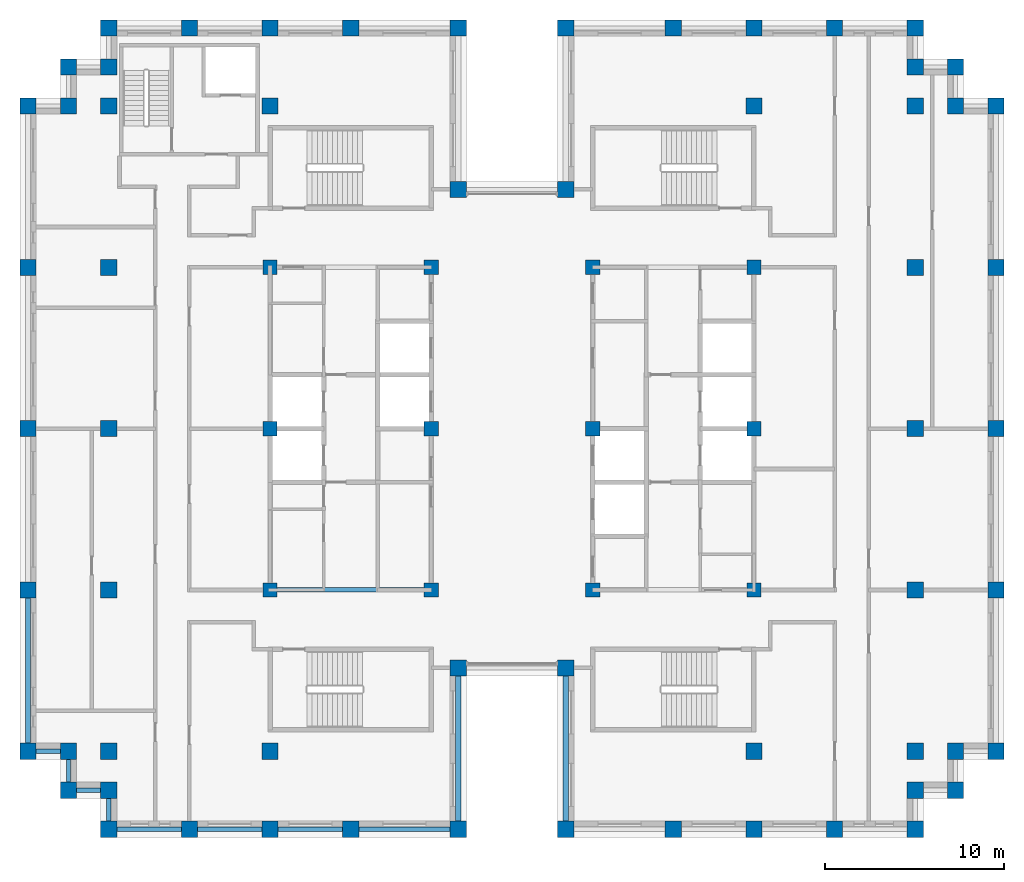
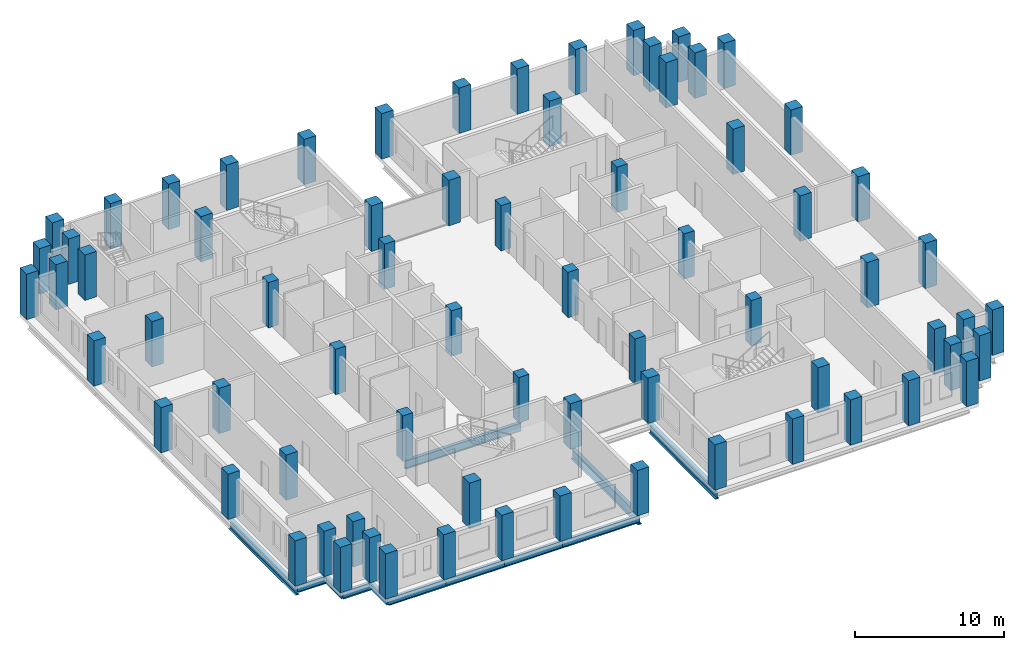
# One storey, part 1 of 13: 72 columns, 12 beams.
"""IFC4 building model written with IfcOpenShell, lengths in metres."""

from ifc_helpers import new_model, si_unit, direction, frame, origin, origin_2d, place, context, subcontext, project, spatial, rectangle, i_section, extrude, material, material_profile, profile_set, type_object, element, save


model = new_model("IFC4")

# Units and contexts
model_context = context("Model", 3, precision=1e-05, world=origin(), true_north=direction((0.0, 1.0)))
body_context = subcontext(model_context, "Body", "Model", "MODEL_VIEW")
ifc_project = project(units=[si_unit("LENGTHUNIT", "METRE"), si_unit("AREAUNIT", "SQUARE_METRE"), si_unit("VOLUMEUNIT", "CUBIC_METRE"), si_unit("PLANEANGLEUNIT", "RADIAN"), si_unit("MASSUNIT", "GRAM", prefix="KILO")], contexts=[model_context])

# Site, building, storey
site_placement = place(None, origin())
site = spatial("IfcSite", under=ifc_project, at=site_placement, CompositionType="ELEMENT")
building_placement = place(site_placement, origin())
building = spatial("IfcBuilding", under=site, at=building_placement, Name="Corbelhall Arena Tower", CompositionType="ELEMENT")
storey_placement = place(building_placement, frame((0.0, 0.0, 266.0)))
storey = spatial("IfcBuildingStorey", under=building, at=storey_placement, Name="L57", CompositionType="ELEMENT", Elevation=266.0)

# Columns
ifc_material_1 = material(Name="Concrete C80/95", Category="concrete")
ifc_material_profile_1 = material_profile(ifc_material_1, rectangle(XDim=0.800048828125, YDim=0.800048828125, at=origin_2d()))
ifc_profile_set_1 = profile_set([ifc_material_profile_1], Name="Concrete C80/95")
column_type_1 = type_object("IfcColumnType", Name="ST-COL-RC 800x800", PredefinedType="COLUMN", material=ifc_profile_set_1)
for number, where, z_axis, x_axis, name in (
    (1, (4.5, 0.0, 0.0), (0.0, 0.0, 1.0), (1.0, 0.0, 0.0), "Column KE+0450+0000"),
    (2, (4.5, 9.0, 0.0), (0.0, 0.0, 1.0), (1.0, 0.0, 0.0), "Column KE+0450+0900"),
    (3, (4.5, -9.0, 0.0), (0.0, 0.0, 1.0), (1.0, 0.0, 0.0), "Column KE+0450-0900"),
    (4, (13.5, 0.0, 0.0), (0.0, 0.0, 1.0), (1.0, 0.0, 0.0), "Column KE+1350+0000"),
    (5, (13.5, 9.0, 0.0), (0.0, 0.0, 1.0), (1.0, 0.0, 0.0), "Column KE+1350+0900"),
    (6, (13.5, -9.0, 0.0), (0.0, 0.0, 1.0), (1.0, 0.0, 0.0), "Column KE+1350-0900"),
    (7, (-4.5, 0.0, 0.0), (0.0, 0.0, 1.0), (1.0, 0.0, 0.0), "Column KW-0450+0000"),
    (8, (-4.5, 9.0, 0.0), (0.0, 0.0, 1.0), (1.0, 0.0, 0.0), "Column KW-0450+0900"),
    (9, (-4.5, -9.0, 0.0), (0.0, 0.0, 1.0), (1.0, 0.0, 0.0), "Column KW-0450-0900"),
    (10, (-13.5, 0.0, 0.0), (0.0, 0.0, 1.0), (1.0, 0.0, 0.0), "Column KW-1350+0000"),
    (11, (-13.5, 9.0, 0.0), (0.0, 0.0, 1.0), (1.0, 0.0, 0.0), "Column KW-1350+0900"),
    (12, (-13.5, -9.0, 0.0), (0.0, 0.0, 1.0), (1.0, 0.0, 0.0), "Column KW-1350-0900"),
):
    element("IfcColumn", number, at=place(storey_placement, frame(where, z_axis=z_axis, x_axis=x_axis)), inside=storey, type_object=column_type_1, Name=name, PredefinedType="COLUMN", context=body_context, shape_type="SweptSolid", body=[
        extrude(rectangle(XDim=0.800048828125, YDim=0.800048828125, at=origin_2d()), origin(), (0.0, 0.0, 1.0), 3.719970703125),
    ])
ifc_material_profile_2 = material_profile(ifc_material_1, rectangle(XDim=0.89990234375, YDim=0.89990234375, at=origin_2d()))
ifc_profile_set_2 = profile_set([ifc_material_profile_2], Name="Concrete C80/95")
column_type_2 = type_object("IfcColumnType", Name="ST-COL-RC 900x900", PredefinedType="COLUMN", material=ifc_profile_set_2)
for number, where, z_axis, x_axis, name in (
    (13, (13.5, 18.0, 0.0), (0.0, 0.0, 1.0), (1.0, 0.0, 0.0), "Column IE13+1800"),
    (14, (13.5, -18.0, 0.0), (0.0, 0.0, 1.0), (1.0, 0.0, 0.0), "Column IE13-1800"),
    (15, (22.5, 0.0, 0.0), (0.0, 0.0, 1.0), (1.0, 0.0, 0.0), "Column IE22+0000"),
    (16, (22.5, 9.0, 0.0), (0.0, 0.0, 1.0), (1.0, 0.0, 0.0), "Column IE22+0900"),
    (17, (22.5, 18.0, 0.0), (0.0, 0.0, 1.0), (1.0, 0.0, 0.0), "Column IE22+1800"),
    (18, (22.5, -9.0, 0.0), (0.0, 0.0, 1.0), (1.0, 0.0, 0.0), "Column IE22-0900"),
    (19, (22.5, -18.0, 0.0), (0.0, 0.0, 1.0), (1.0, 0.0, 0.0), "Column IE22-1800"),
    (20, (-13.5, 18.0, 0.0), (0.0, 0.0, 1.0), (1.0, 0.0, 0.0), "Column IW13+1800"),
    (21, (-13.5, -18.0, 0.0), (0.0, 0.0, 1.0), (1.0, 0.0, 0.0), "Column IW13-1800"),
    (22, (-22.5, 0.0, 0.0), (0.0, 0.0, 1.0), (1.0, 0.0, 0.0), "Column IW22+0000"),
    (23, (-22.5, 9.0, 0.0), (0.0, 0.0, 1.0), (1.0, 0.0, 0.0), "Column IW22+0900"),
    (24, (-22.5, 18.0, 0.0), (0.0, 0.0, 1.0), (1.0, 0.0, 0.0), "Column IW22+1800"),
    (25, (-22.5, -9.0, 0.0), (0.0, 0.0, 1.0), (1.0, 0.0, 0.0), "Column IW22-0900"),
    (26, (-22.5, -18.0, 0.0), (0.0, 0.0, 1.0), (1.0, 0.0, 0.0), "Column IW22-1800"),
    (27, (27.0, 0.0, 0.0), (0.0, 0.0, 1.0), (0.0, 1.0, 0.0), "Column PE+0000"),
    (28, (27.0, 9.0, 0.0), (0.0, 0.0, 1.0), (0.0, 1.0, 0.0), "Column PE+0900"),
    (29, (27.0, 18.0, 0.0), (0.0, 0.0, 1.0), (0.0, 1.0, 0.0), "Column PE+1800"),
    (30, (27.0, -9.0, 0.0), (0.0, 0.0, 1.0), (0.0, 1.0, 0.0), "Column PE-0900"),
    (31, (27.0, -18.0, 0.0), (0.0, 0.0, 1.0), (0.0, 1.0, 0.0), "Column PE-1800"),
    (32, (3.0, 22.35009765625, 0.0), (0.0, 0.0, 1.0), (1.0, 0.0, 0.0), "Column PNE0300"),
    (33, (9.0, 22.35009765625, 0.0), (0.0, 0.0, 1.0), (1.0, 0.0, 0.0), "Column PNE0900"),
    (34, (13.5, 22.35009765625, 0.0), (0.0, 0.0, 1.0), (1.0, 0.0, 0.0), "Column PNE1350"),
    (35, (18.0, 22.35009765625, 0.0), (0.0, 0.0, 1.0), (1.0, 0.0, 0.0), "Column PNE1800"),
    (36, (22.5, 22.35009765625, 0.0), (0.0, 0.0, 1.0), (1.0, 0.0, 0.0), "Column PNE2250"),
    (37, (-3.0, 22.35009765625, 0.0), (0.0, 0.0, 1.0), (1.0, 0.0, 0.0), "Column PNW0300"),
    (38, (-9.0, 22.35009765625, 0.0), (0.0, 0.0, 1.0), (1.0, 0.0, 0.0), "Column PNW0900"),
    (39, (-13.5, 22.35009765625, 0.0), (0.0, 0.0, 1.0), (1.0, 0.0, 0.0), "Column PNW1350"),
    (40, (-18.0, 22.35009765625, 0.0), (0.0, 0.0, 1.0), (1.0, 0.0, 0.0), "Column PNW1800"),
    (41, (-22.5, 22.35009765625, 0.0), (0.0, 0.0, 1.0), (1.0, 0.0, 0.0), "Column PNW2250"),
    (42, (3.0, -22.35009765625, 0.0), (0.0, 0.0, 1.0), (1.0, 0.0, 0.0), "Column PSE0300"),
    (43, (9.0, -22.35009765625, 0.0), (0.0, 0.0, 1.0), (1.0, 0.0, 0.0), "Column PSE0900"),
    (44, (13.5, -22.35009765625, 0.0), (0.0, 0.0, 1.0), (1.0, 0.0, 0.0), "Column PSE1350"),
    (45, (18.0, -22.35009765625, 0.0), (0.0, 0.0, 1.0), (1.0, 0.0, 0.0), "Column PSE1800"),
    (46, (22.5, -22.35009765625, 0.0), (0.0, 0.0, 1.0), (1.0, 0.0, 0.0), "Column PSE2250"),
    (47, (-3.0, -22.35009765625, 0.0), (0.0, 0.0, 1.0), (1.0, 0.0, 0.0), "Column PSW0300"),
    (48, (-9.0, -22.35009765625, 0.0), (0.0, 0.0, 1.0), (1.0, 0.0, 0.0), "Column PSW0900"),
    (49, (-13.5, -22.35009765625, 0.0), (0.0, 0.0, 1.0), (1.0, 0.0, 0.0), "Column PSW1350"),
    (50, (-18.0, -22.35009765625, 0.0), (0.0, 0.0, 1.0), (1.0, 0.0, 0.0), "Column PSW1800"),
    (51, (-22.5, -22.35009765625, 0.0), (0.0, 0.0, 1.0), (1.0, 0.0, 0.0), "Column PSW2250"),
    (52, (-27.0, 0.0, 0.0), (0.0, 0.0, 1.0), (0.0, 1.0, 0.0), "Column PW+0000"),
    (53, (-27.0, 9.0, 0.0), (0.0, 0.0, 1.0), (0.0, 1.0, 0.0), "Column PW+0900"),
    (54, (-27.0, 18.0, 0.0), (0.0, 0.0, 1.0), (0.0, 1.0, 0.0), "Column PW+1800"),
    (55, (-27.0, -9.0, 0.0), (0.0, 0.0, 1.0), (0.0, 1.0, 0.0), "Column PW-0900"),
    (56, (-27.0, -18.0, 0.0), (0.0, 0.0, 1.0), (0.0, 1.0, 0.0), "Column PW-1800"),
    (57, (3.0, 13.35009765625, 0.0), (0.0, 0.0, 1.0), (1.0, 0.0, 0.0), "Column SLNE2"),
    (58, (-3.0, 13.35009765625, 0.0), (0.0, 0.0, 1.0), (1.0, 0.0, 0.0), "Column SLNW2"),
    (59, (3.0, -13.35009765625, 0.0), (0.0, 0.0, 1.0), (1.0, 0.0, 0.0), "Column SLSE2"),
    (60, (-3.0, -13.35009765625, 0.0), (0.0, 0.0, 1.0), (1.0, 0.0, 0.0), "Column SLSW2"),
    (61, (22.5, 20.175048828125, 0.0), (0.0, 0.0, 1.0), (1.0, 0.0, 0.0), "Column XNE1"),
    (62, (24.75, 20.175048828125, 0.0), (0.0, 0.0, 1.0), (1.0, 0.0, 0.0), "Column XNE2"),
    (63, (24.75, 18.0, 0.0), (0.0, 0.0, 1.0), (1.0, 0.0, 0.0), "Column XNE3"),
    (64, (-22.5, 20.175048828125, 0.0), (0.0, 0.0, 1.0), (1.0, 0.0, 0.0), "Column XNW1"),
    (65, (-24.75, 20.175048828125, 0.0), (0.0, 0.0, 1.0), (1.0, 0.0, 0.0), "Column XNW2"),
    (66, (-24.75, 18.0, 0.0), (0.0, 0.0, 1.0), (1.0, 0.0, 0.0), "Column XNW3"),
    (67, (22.5, -20.175048828125, 0.0), (0.0, 0.0, 1.0), (1.0, 0.0, 0.0), "Column XSE1"),
    (68, (24.75, -20.175048828125, 0.0), (0.0, 0.0, 1.0), (1.0, 0.0, 0.0), "Column XSE2"),
    (69, (24.75, -18.0, 0.0), (0.0, 0.0, 1.0), (1.0, 0.0, 0.0), "Column XSE3"),
    (70, (-22.5, -20.175048828125, 0.0), (0.0, 0.0, 1.0), (1.0, 0.0, 0.0), "Column XSW1"),
    (71, (-24.75, -20.175048828125, 0.0), (0.0, 0.0, 1.0), (1.0, 0.0, 0.0), "Column XSW2"),
    (72, (-24.75, -18.0, 0.0), (0.0, 0.0, 1.0), (1.0, 0.0, 0.0), "Column XSW3"),
):
    element("IfcColumn", number, at=place(storey_placement, frame(where, z_axis=z_axis, x_axis=x_axis)), inside=storey, type_object=column_type_2, Name=name, PredefinedType="COLUMN", context=body_context, shape_type="SweptSolid", body=[
        extrude(rectangle(XDim=0.89990234375, YDim=0.89990234375, at=origin_2d()), origin(), (0.0, 0.0, 1.0), 3.719970703125),
    ])

# Beams
ifc_material_2 = material(Name="Steel ASTM A992 Gr50", Category="steel")
ifc_material_profile_3 = material_profile(ifc_material_2, i_section(OverallWidth=0.25390625, OverallDepth=0.67822265625, WebThickness=0.01171875, FlangeThickness=0.016357421875, at=origin_2d()))
ifc_profile_set_3 = profile_set([ifc_material_profile_3], Name="Steel ASTM A992 Gr50")
beam_type_1 = type_object("IfcBeamType", Name="ST-BEAM-W27x84", PredefinedType="BEAM", material=ifc_profile_set_3)
beam_1_placement = place(storey_placement, frame((-13.5, -9.0, -0.619140625), z_axis=(1.0, 0.0, 0.0), x_axis=(0.0, 1.0, 0.0)))
element("IfcBeam", 73, at=beam_1_placement, inside=storey, type_object=beam_type_1, Name="Beam CEW 5", PredefinedType="BEAM", context=body_context, shape_type="SweptSolid", body=[
    extrude(i_section(OverallWidth=0.25390625, OverallDepth=0.67822265625, WebThickness=0.01171875, FlangeThickness=0.016357421875, at=origin_2d()), origin(), (0.0, 0.0, 1.0), 9.0),
])
ifc_material_profile_4 = material_profile(ifc_material_2, i_section(OverallWidth=0.227783203125, OverallDepth=0.60205078125, WebThickness=0.010498046875, FlangeThickness=0.014892578125, at=origin_2d()))
ifc_profile_set_4 = profile_set([ifc_material_profile_4], Name="Steel ASTM A992 Gr50")
beam_type_2 = type_object("IfcBeamType", Name="ST-SPANDREL-W24x68", PredefinedType="SPANDREL", material=ifc_profile_set_4)
beam_2_placement = place(storey_placement, frame((-3.0, -22.35009765625, -0.5810546875), z_axis=(-1.0, 0.0, 0.0), x_axis=(0.0, -1.0, 0.0)))
element("IfcBeam", 74, at=beam_2_placement, inside=storey, type_object=beam_type_2, Name="Beam SP 21", PredefinedType="SPANDREL", context=body_context, shape_type="SweptSolid", body=[
    extrude(i_section(OverallWidth=0.227783203125, OverallDepth=0.60205078125, WebThickness=0.010498046875, FlangeThickness=0.014892578125, at=origin_2d()), origin(), (0.0, 0.0, 1.0), 6.0),
])
for number, where, z_axis, x_axis, name in (
    (75, (-9.0, -22.35009765625, -0.5810546875), (-1.0, 0.0, 0.0), (0.0, -1.0, 0.0), "Beam SP 22"),
    (76, (-13.5, -22.35009765625, -0.5810546875), (-1.0, 0.0, 0.0), (0.0, -1.0, 0.0), "Beam SP 23"),
    (77, (-18.0, -22.35009765625, -0.5810546875), (-1.0, 0.0, 0.0), (0.0, -1.0, 0.0), "Beam SP 24"),
):
    element("IfcBeam", number, at=place(storey_placement, frame(where, z_axis=z_axis, x_axis=x_axis)), inside=storey, type_object=beam_type_2, Name=name, PredefinedType="SPANDREL", context=body_context, shape_type="SweptSolid", body=[
        extrude(i_section(OverallWidth=0.227783203125, OverallDepth=0.60205078125, WebThickness=0.010498046875, FlangeThickness=0.014892578125, at=origin_2d()), origin(), (0.0, 0.0, 1.0), 4.5),
    ])
beam_3_placement = place(storey_placement, frame((-22.5, -22.35009765625, -0.5810546875), z_axis=(0.0, 1.0, 0.0), x_axis=(-1.0, 0.0, 0.0)))
element("IfcBeam", 78, at=beam_3_placement, inside=storey, type_object=beam_type_2, Name="Beam SP 25", PredefinedType="SPANDREL", context=body_context, shape_type="SweptSolid", body=[
    extrude(i_section(OverallWidth=0.227783203125, OverallDepth=0.60205078125, WebThickness=0.010498046875, FlangeThickness=0.014892578125, at=origin_2d()), origin(), (0.0, 0.0, 1.0), 2.175048828125),
])
beam_4_placement = place(storey_placement, frame((-22.5, -20.175048828125, -0.5810546875), z_axis=(-1.0, 0.0, 0.0), x_axis=(0.0, -1.0, 0.0)))
element("IfcBeam", 79, at=beam_4_placement, inside=storey, type_object=beam_type_2, Name="Beam SP 44", PredefinedType="SPANDREL", context=body_context, shape_type="SweptSolid", body=[
    extrude(i_section(OverallWidth=0.227783203125, OverallDepth=0.60205078125, WebThickness=0.010498046875, FlangeThickness=0.014892578125, at=origin_2d()), origin(), (0.0, 0.0, 1.0), 2.25),
])
beam_5_placement = place(storey_placement, frame((-24.75, -20.175048828125, -0.5810546875), z_axis=(0.0, 1.0, 0.0), x_axis=(-1.0, 0.0, 0.0)))
element("IfcBeam", 80, at=beam_5_placement, inside=storey, type_object=beam_type_2, Name="Beam SP 45", PredefinedType="SPANDREL", context=body_context, shape_type="SweptSolid", body=[
    extrude(i_section(OverallWidth=0.227783203125, OverallDepth=0.60205078125, WebThickness=0.010498046875, FlangeThickness=0.014892578125, at=origin_2d()), origin(), (0.0, 0.0, 1.0), 2.175048828125),
])
beam_6_placement = place(storey_placement, frame((-24.75, -18.0, -0.5810546875), z_axis=(-1.0, 0.0, 0.0), x_axis=(0.0, -1.0, 0.0)))
element("IfcBeam", 81, at=beam_6_placement, inside=storey, type_object=beam_type_2, Name="Beam SP 46", PredefinedType="SPANDREL", context=body_context, shape_type="SweptSolid", body=[
    extrude(i_section(OverallWidth=0.227783203125, OverallDepth=0.60205078125, WebThickness=0.010498046875, FlangeThickness=0.014892578125, at=origin_2d()), origin(), (0.0, 0.0, 1.0), 2.25),
])
ifc_material_profile_5 = material_profile(ifc_material_2, i_section(OverallWidth=0.2919921875, OverallDepth=0.845703125, WebThickness=0.015380859375, FlangeThickness=0.0244140625, at=origin_2d()))
ifc_profile_set_5 = profile_set([ifc_material_profile_5], Name="Steel ASTM A992 Gr50")
beam_type_3 = type_object("IfcBeamType", Name="ST-SPANDREL-W33x141", PredefinedType="SPANDREL", material=ifc_profile_set_5)
for number, where, z_axis, x_axis, name in (
    (82, (3.0, -22.35009765625, -0.702880859375), (0.0, 1.0, 0.0), (-1.0, 0.0, 0.0), "Beam SP 16"),
    (83, (-27.0, -18.0, -0.702880859375), (0.0, 1.0, 0.0), (-1.0, 0.0, 0.0), "Beam SP 30"),
    (84, (-3.0, -13.35009765625, -0.702880859375), (0.0, -1.0, 0.0), (1.0, 0.0, 0.0), "Beam SP 34"),
):
    element("IfcBeam", number, at=place(storey_placement, frame(where, z_axis=z_axis, x_axis=x_axis)), inside=storey, type_object=beam_type_3, Name=name, PredefinedType="SPANDREL", context=body_context, shape_type="SweptSolid", body=[
        extrude(i_section(OverallWidth=0.2919921875, OverallDepth=0.845703125, WebThickness=0.015380859375, FlangeThickness=0.0244140625, at=origin_2d()), origin(), (0.0, 0.0, 1.0), 9.0),
    ])

save(model, "model.ifc")
